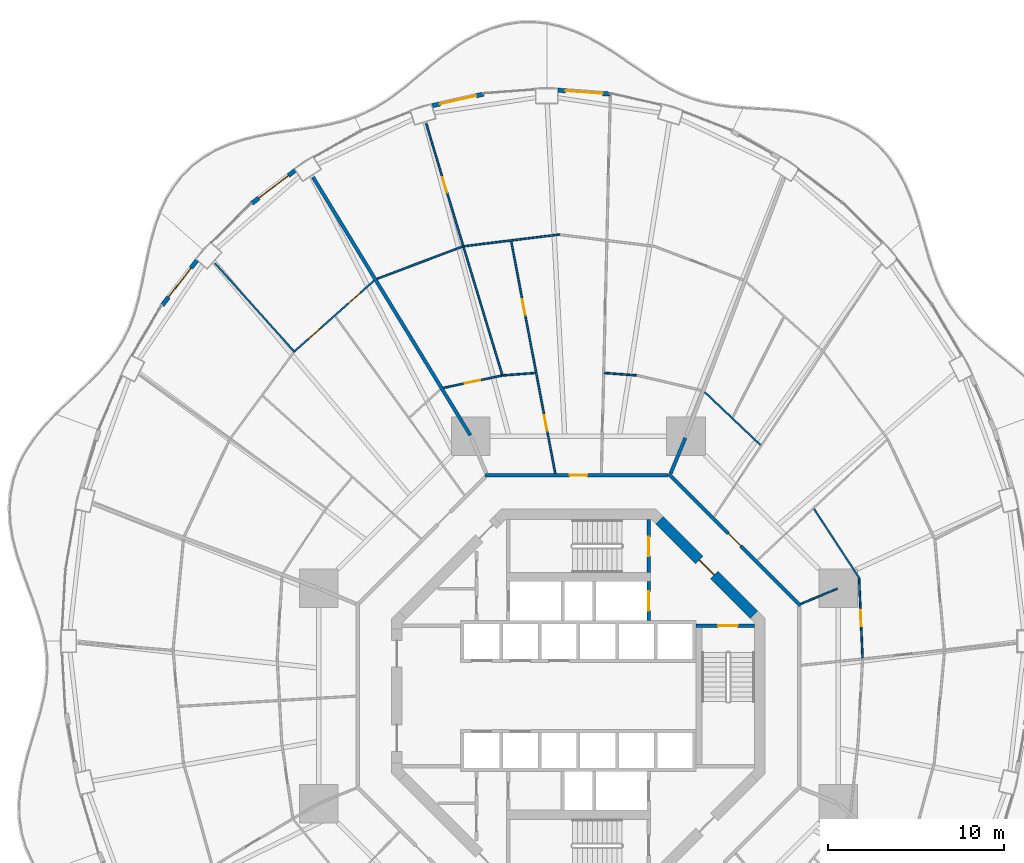
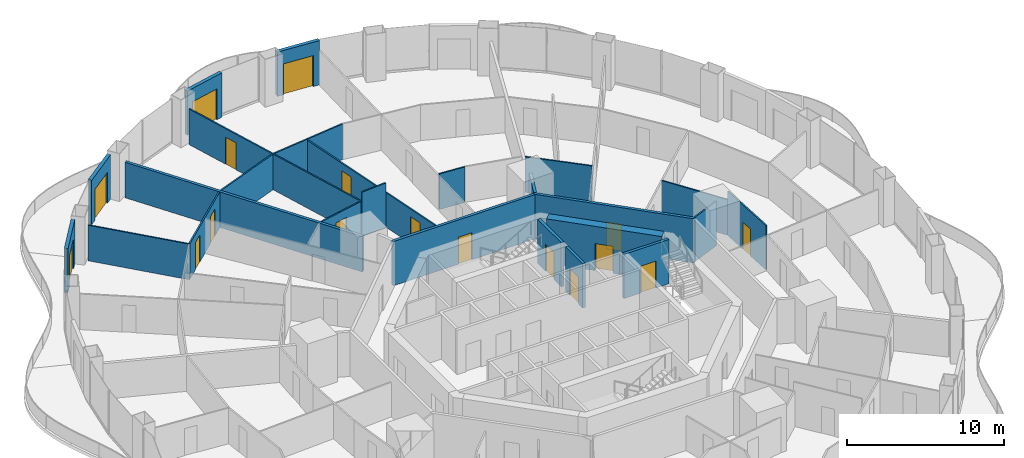
# One storey, part 19 of 24: 25 walls, 17 doors, 17 openings.
"""IFC4 building model written with IfcOpenShell, lengths in metres."""

from ifc_helpers import new_model, si_unit, direction, frame, frame_2d, origin, place, context, subcontext, project, spatial, rectangle, extrude, material, layer, layer_set, type_object, element, fill, save


model = new_model("IFC4")

# Units and contexts
model_context = context("Model", 3, precision=1e-05, world=origin(), true_north=direction((0.0, 1.0)))
body_context = subcontext(model_context, "Body", "Model", "MODEL_VIEW")
ifc_project = project(units=[si_unit("LENGTHUNIT", "METRE"), si_unit("AREAUNIT", "SQUARE_METRE"), si_unit("VOLUMEUNIT", "CUBIC_METRE"), si_unit("PLANEANGLEUNIT", "RADIAN"), si_unit("MASSUNIT", "GRAM", prefix="KILO")], contexts=[model_context])

# Site, building, storey
site_placement = place(None, origin())
site = spatial("IfcSite", under=ifc_project, at=site_placement, CompositionType="ELEMENT")
building_placement = place(site_placement, origin())
building = spatial("IfcBuilding", under=site, at=building_placement, Name="Nagisa Residences", CompositionType="ELEMENT")
storey_placement = place(building_placement, frame((0.0, 0.0, 102.89990234375)))
storey = spatial("IfcBuildingStorey", under=building, at=storey_placement, Name="L25", CompositionType="ELEMENT", Elevation=102.89990234375)

# Walls
ifc_material_1 = material(Name="Gypsum board on steel studs", Category="steel")
ifc_layer_1 = layer(ifc_material_1, 0.199951171875)
ifc_layer_set_1 = layer_set([ifc_layer_1], Name="Apartment compartment wall EI60 200")
wall_type_1 = type_object("IfcWallType", Name="Apartment compartment wall EI60 200", PredefinedType="PARTITIONING", material=ifc_layer_set_1)
wall_1_placement = place(storey_placement, frame((5.24267578125, 12.6572265625, 0.0), z_axis=(0.0, 0.0, 1.0), x_axis=(0.382724096228, 0.923862687939, 0.0)))
element("IfcWall", 1, at=wall_1_placement, inside=storey, type_object=wall_type_1, Name="wall:L25:u00", PredefinedType="PARTITIONING", context=body_context, shape_type="SweptSolid", body=[
    extrude(rectangle(XDim=2.20068359375, YDim=0.199951171875, at=frame_2d((1.100341796875, 0.0))), origin(), (0.0, 0.0, 1.0), 3.440185546875),
])
wall_2_placement = place(storey_placement, frame((-6.14892578125, 14.82470703125, 0.0), z_axis=(0.0, 0.0, 1.0), x_axis=(-0.520412862249, 0.853914780763, 0.0)))
element("IfcWall", 2, at=wall_2_placement, inside=storey, type_object=wall_type_1, Name="wall:L25:u03", PredefinedType="PARTITIONING", context=body_context, shape_type="SweptSolid", body=[
    extrude(rectangle(XDim=17.202392578125, YDim=0.199951171875, at=frame_2d((8.60107421875, 0.0))), origin(), (0.0, 0.0, 1.0), 2.76220703125),
])

# Wall, opening, door
ifc_material_2 = material(Name="Gypsum board on steel studs", Category="steel")
ifc_layer_2 = layer(ifc_material_2, 0.199951171875)
ifc_layer_set_2 = layer_set([ifc_layer_2], Name="Apartment entry wall EI60 200")
wall_type_2 = type_object("IfcWallType", Name="Apartment entry wall EI60 200", PredefinedType="PARTITIONING", material=ifc_layer_set_2)
wall_3_placement = place(storey_placement, frame((12.635498046875, 5.1337890625, 0.0), z_axis=(0.0, 0.0, 1.0), x_axis=(-0.707106781187, 0.707106781187, 0.0)))
wall_3 = element("IfcWall", 3, at=wall_3_placement, inside=storey, type_object=wall_type_2, Name="wall:L25:u11", PredefinedType="PARTITIONING", context=body_context, shape_type="SweptSolid", body=[
    extrude(rectangle(XDim=10.609130859375, YDim=0.199951171875, at=frame_2d((5.3046875, 0.0))), origin(), (0.0, 0.0, 1.0), 3.440185546875),
])
opening_1_placement = place(wall_3_placement, frame((4.804443359375, 0.0, 0.0)))
opening_1 = element("IfcOpeningElement", 4, at=opening_1_placement, cuts=wall_3, Name="Opening L25-U28", PredefinedType="OPENING", context=body_context, shape_type="SweptSolid", body=[
    extrude(rectangle(XDim=1.0, YDim=2.10009765625, at=frame_2d((0.5, 1.050048828125))), frame((0.0, 0.10986328125, 0.0), z_axis=(0.0, -1.0, 0.0), x_axis=(1.0, 0.0, 0.0)), (0.0, 0.0, 1.0), 0.219970703125),
])
ifc_material_3 = material(Name="Timber fire door set", Category="wood")
door_type_1 = type_object("IfcDoorType", Name="Apartment entry door FD30S 1000x2100", OperationType="NOTDEFINED", PredefinedType="DOOR", material=ifc_material_3)
door_1_placement = place(opening_1_placement, frame((1.0, 0.0, 0.0), x_axis=(-1.0, 0.0, 0.0)))
door_1 = element("IfcDoor", 5, at=door_1_placement, inside=storey, type_object=door_type_1, Name="Entry door, Apartment 25C", OperationType="SINGLE_SWING_LEFT", OverallHeight=2.10009765625, OverallWidth=1.0, PredefinedType="DOOR", context=body_context, shape_type="SweptSolid", body=[
    extrude(rectangle(XDim=1.0, YDim=2.10009765625, at=frame_2d((0.5, 1.050048828125))), frame((0.0, 0.02490234375, 0.0), z_axis=(0.0, -1.0, 0.0), x_axis=(1.0, 0.0, 0.0)), (0.0, 0.0, 1.0), 0.050048828125),
])
fill(opening_1, door_1)

wall_4_placement = place(storey_placement, frame((5.1044921875, 12.564697265625, 0.0), z_axis=(0.0, 0.0, 1.0), x_axis=(-1.0, 0.0, 0.0)))
wall_4 = element("IfcWall", 6, at=wall_4_placement, inside=storey, type_object=wall_type_2, Name="wall:L25:u12", PredefinedType="PARTITIONING", context=body_context, shape_type="SweptSolid", body=[
    extrude(rectangle(XDim=10.408935546875, YDim=0.199951171875, at=frame_2d((5.20458984375, 0.0))), origin(), (0.0, 0.0, 1.0), 3.440185546875),
])
opening_2_placement = place(wall_4_placement, frame((4.6044921875, 0.0, 0.0)))
opening_2 = element("IfcOpeningElement", 7, at=opening_2_placement, cuts=wall_4, Name="Opening L25-U41", PredefinedType="OPENING", context=body_context, shape_type="SweptSolid", body=[
    extrude(rectangle(XDim=1.0, YDim=2.10009765625, at=frame_2d((0.5, 1.050048828125))), frame((0.0, 0.10986328125, 0.0), z_axis=(0.0, -1.0, 0.0), x_axis=(1.0, 0.0, 0.0)), (0.0, 0.0, 1.0), 0.219970703125),
])
door_2_placement = place(opening_2_placement, frame((1.0, 0.0, 0.0), x_axis=(-1.0, 0.0, 0.0)))
door_2 = element("IfcDoor", 8, at=door_2_placement, inside=storey, type_object=door_type_1, Name="Entry door, Apartment 25D", OperationType="SINGLE_SWING_RIGHT", OverallHeight=2.10009765625, OverallWidth=1.0, PredefinedType="DOOR", context=body_context, shape_type="SweptSolid", body=[
    extrude(rectangle(XDim=1.0, YDim=2.10009765625, at=frame_2d((0.5, 1.050048828125))), frame((0.0, 0.02490234375, 0.0), z_axis=(0.0, -1.0, 0.0), x_axis=(1.0, 0.0, 0.0)), (0.0, 0.0, 1.0), 0.050048828125),
])
fill(opening_2, door_2)

ifc_material_4 = material(Name="Gypsum board on steel studs", Category="steel")
ifc_layer_3 = layer(ifc_material_4, 0.10009765625)
ifc_layer_set_3 = layer_set([ifc_layer_3], Name="Apartment partition 100")
wall_type_3 = type_object("IfcWallType", Name="Apartment partition 100", PredefinedType="PARTITIONING", material=ifc_layer_set_3)
wall_5_placement = place(storey_placement, frame((16.161865234375, 2.158203125, 0.0), z_axis=(0.0, 0.0, 1.0), x_axis=(-0.043120653248, 0.999069872063, 0.0)))
wall_5 = element("IfcWall", 9, at=wall_5_placement, inside=storey, type_object=wall_type_3, Name="wall:L25:u19", PredefinedType="PARTITIONING", context=body_context, shape_type="SweptSolid", body=[
    extrude(rectangle(XDim=4.51806640625, YDim=0.10009765625, at=frame_2d((2.259033203125, 0.0))), origin(), (0.0, 0.0, 1.0), 3.440185546875),
])
opening_3_placement = place(wall_5_placement, frame((1.80908203125, 0.0, 0.0)))
opening_3 = element("IfcOpeningElement", 10, at=opening_3_placement, cuts=wall_5, Name="Opening L25-U36", PredefinedType="OPENING", context=body_context, shape_type="SweptSolid", body=[
    extrude(rectangle(XDim=0.89990234375, YDim=2.10009765625, at=frame_2d((0.449951171875, 1.050048828125))), frame((0.0, 0.06005859375, 0.0), z_axis=(0.0, -1.0, 0.0), x_axis=(1.0, 0.0, 0.0)), (0.0, 0.0, 1.0), 0.1201171875),
])
ifc_material_5 = material(Name="Timber door set", Category="wood")
door_type_2 = type_object("IfcDoorType", Name="Apartment door 900x2100", OperationType="NOTDEFINED", PredefinedType="DOOR", material=ifc_material_5)
door_3_placement = place(opening_3_placement, origin())
door_3 = element("IfcDoor", 11, at=door_3_placement, inside=storey, type_object=door_type_2, Name="Door to store, Apartment 25C", OperationType="SINGLE_SWING_RIGHT", OverallHeight=2.10009765625, OverallWidth=0.89990234375, PredefinedType="DOOR", context=body_context, shape_type="SweptSolid", body=[
    extrude(rectangle(XDim=0.89990234375, YDim=2.10009765625, at=frame_2d((0.449951171875, 1.050048828125))), frame((0.0, 0.02490234375, 0.0), z_axis=(0.0, -1.0, 0.0), x_axis=(1.0, 0.0, 0.0)), (0.0, 0.0, 1.0), 0.050048828125),
])
fill(opening_3, door_3)

# Walls
wall_6_placement = place(storey_placement, frame((12.6572265625, 5.24267578125, 0.0), z_axis=(0.0, 0.0, 1.0), x_axis=(0.923864733477, 0.382719158442, 0.0)))
element("IfcWall", 12, at=wall_6_placement, inside=storey, type_object=wall_type_3, Name="wall:L25:u23", PredefinedType="PARTITIONING", context=body_context, shape_type="SweptSolid", body=[
    extrude(rectangle(XDim=2.25, YDim=0.10009765625, at=frame_2d((1.125, 0.0))), origin(), (0.0, 0.0, 1.0), 3.440185546875),
])
wall_7_placement = place(storey_placement, frame((15.9921875, 6.68017578125, 0.0), z_axis=(0.0, 0.0, 1.0), x_axis=(-0.547472878942, 0.836823426311, 0.0)))
element("IfcWall", 13, at=wall_7_placement, inside=storey, type_object=wall_type_3, Name="wall:L25:u24", PredefinedType="PARTITIONING", context=body_context, shape_type="SweptSolid", body=[
    extrude(rectangle(XDim=4.73779296875, YDim=0.10009765625, at=frame_2d((2.368896484375, 0.0))), origin(), (0.0, 0.0, 1.0), 2.76220703125),
])
wall_8_placement = place(storey_placement, frame((10.35546875, 14.274169921875, 0.0), z_axis=(0.0, 0.0, 1.0), x_axis=(-0.725206433622, 0.688531501555, 0.0)))
element("IfcWall", 14, at=wall_8_placement, inside=storey, type_object=wall_type_3, Name="wall:L25:u30", PredefinedType="PARTITIONING", context=body_context, shape_type="SweptSolid", body=[
    extrude(rectangle(XDim=4.386962890625, YDim=0.10009765625, at=frame_2d((2.193359375, 0.0))), origin(), (0.0, 0.0, 1.0), 2.76220703125),
])
wall_9_placement = place(storey_placement, frame((3.299072265625, 18.23681640625, 0.0), z_axis=(0.0, 0.0, 1.0), x_axis=(-0.997152920483, 0.075405922664, 0.0)))
element("IfcWall", 15, at=wall_9_placement, inside=storey, type_object=wall_type_3, Name="wall:L25:u35", PredefinedType="PARTITIONING", context=body_context, shape_type="SweptSolid", body=[
    extrude(rectangle(XDim=1.82275390625, YDim=0.10009765625, at=frame_2d((0.911376953125, 0.0))), origin(), (0.0, 0.0, 1.0), 2.76220703125),
])
wall_10_placement = place(storey_placement, frame((-1.06640625, 26.2529296875, 0.0), z_axis=(0.0, 0.0, 1.0), x_axis=(-0.992574853421, -0.121635358166, 0.0)))
element("IfcWall", 16, at=wall_10_placement, inside=storey, type_object=wall_type_3, Name="wall:L25:u38", PredefinedType="PARTITIONING", context=body_context, shape_type="SweptSolid", body=[
    extrude(rectangle(XDim=5.473388671875, YDim=0.10009765625, at=frame_2d((2.73681640625, 0.0))), origin(), (0.0, 0.0, 1.0), 2.76220703125),
])

# Wall, openings, doors
wall_11_placement = place(storey_placement, frame((-1.31982421875, 12.6630859375, 0.0), z_axis=(0.0, 0.0, 1.0), x_axis=(-0.186308855238, 0.982491226658, 0.0)))
wall_11 = element("IfcWall", 17, at=wall_11_placement, inside=storey, type_object=wall_type_3, Name="wall:L25:u39", PredefinedType="PARTITIONING", context=body_context, shape_type="SweptSolid", body=[
    extrude(rectangle(XDim=13.43701171875, YDim=0.10009765625, at=frame_2d((6.718505859375, 0.0))), origin(), (0.0, 0.0, 1.0), 2.68701171875),
])
opening_4_placement = place(wall_11_placement, frame((2.45849609375, 0.0, 0.0)))
opening_4 = element("IfcOpeningElement", 18, at=opening_4_placement, cuts=wall_11, Name="Opening L25-U43", PredefinedType="OPENING", context=body_context, shape_type="SweptSolid", body=[
    extrude(rectangle(XDim=0.89990234375, YDim=2.10009765625, at=frame_2d((0.449951171875, 1.050048828125))), frame((0.0, 0.06005859375, 0.0), z_axis=(0.0, -1.0, 0.0), x_axis=(1.0, 0.0, 0.0)), (0.0, 0.0, 1.0), 0.1201171875),
])
opening_5_placement = place(wall_11_placement, frame((9.177001953125, 0.0, 0.0)))
opening_5 = element("IfcOpeningElement", 19, at=opening_5_placement, cuts=wall_11, Name="Opening L25-U45", PredefinedType="OPENING", context=body_context, shape_type="SweptSolid", body=[
    extrude(rectangle(XDim=0.89990234375, YDim=2.10009765625, at=frame_2d((0.449951171875, 1.050048828125))), frame((0.0, 0.06005859375, 0.0), z_axis=(0.0, -1.0, 0.0), x_axis=(1.0, 0.0, 0.0)), (0.0, 0.0, 1.0), 0.1201171875),
])
door_4_placement = place(opening_4_placement, origin())
door_4 = element("IfcDoor", 20, at=door_4_placement, inside=storey, type_object=door_type_2, Name="Door to store, Apartment 25D", OperationType="SINGLE_SWING_LEFT", OverallHeight=2.10009765625, OverallWidth=0.89990234375, PredefinedType="DOOR", context=body_context, shape_type="SweptSolid", body=[
    extrude(rectangle(XDim=0.89990234375, YDim=2.10009765625, at=frame_2d((0.449951171875, 1.050048828125))), frame((0.0, 0.02490234375, 0.0), z_axis=(0.0, -1.0, 0.0), x_axis=(1.0, 0.0, 0.0)), (0.0, 0.0, 1.0), 0.050048828125),
])
fill(opening_4, door_4)
door_5_placement = place(opening_5_placement, origin())
door_5 = element("IfcDoor", 21, at=door_5_placement, inside=storey, type_object=door_type_2, Name="Door to family bathroom, Apartment 25D", OperationType="SINGLE_SWING_LEFT", OverallHeight=2.10009765625, OverallWidth=0.89990234375, PredefinedType="DOOR", context=body_context, shape_type="SweptSolid", body=[
    extrude(rectangle(XDim=0.89990234375, YDim=2.10009765625, at=frame_2d((0.449951171875, 1.050048828125))), frame((0.0, 0.02490234375, 0.0), z_axis=(0.0, -1.0, 0.0), x_axis=(1.0, 0.0, 0.0)), (0.0, 0.0, 1.0), 0.050048828125),
])
fill(opening_5, door_5)

# Wall
wall_12_placement = place(storey_placement, frame((-2.453369140625, 18.374267578125, 0.0), z_axis=(0.0, 0.0, 1.0), x_axis=(-0.997153681897, -0.075395853197, 0.0)))
element("IfcWall", 22, at=wall_12_placement, inside=storey, type_object=wall_type_3, Name="wall:L25:u40", PredefinedType="PARTITIONING", context=body_context, shape_type="SweptSolid", body=[
    extrude(rectangle(XDim=1.822998046875, YDim=0.10009765625, at=frame_2d((0.91162109375, 0.0))), origin(), (0.0, 0.0, 1.0), 3.440185546875),
])

# Wall, opening, door
wall_13_placement = place(storey_placement, frame((-4.306396484375, 18.185302734375, 0.0), z_axis=(0.0, 0.0, 1.0), x_axis=(-0.290183838394, 0.956970919064, 0.0)))
wall_13 = element("IfcWall", 23, at=wall_13_placement, inside=storey, type_object=wall_type_3, Name="wall:L25:u41", PredefinedType="PARTITIONING", context=body_context, shape_type="SweptSolid", body=[
    extrude(rectangle(XDim=15.01513671875, YDim=0.10009765625, at=frame_2d((7.507568359375, 0.0))), origin(), (0.0, 0.0, 1.0), 2.76220703125),
])
opening_6_placement = place(wall_13_placement, frame((10.921875, 0.0, 0.0)))
opening_6 = element("IfcOpeningElement", 24, at=opening_6_placement, cuts=wall_13, Name="Opening L25-U49", PredefinedType="OPENING", context=body_context, shape_type="SweptSolid", body=[
    extrude(rectangle(XDim=0.89990234375, YDim=2.10009765625, at=frame_2d((0.449951171875, 1.050048828125))), frame((0.0, 0.06005859375, 0.0), z_axis=(0.0, -1.0, 0.0), x_axis=(1.0, 0.0, 0.0)), (0.0, 0.0, 1.0), 0.1201171875),
])
door_6_placement = place(opening_6_placement, origin())
door_6 = element("IfcDoor", 25, at=door_6_placement, inside=storey, type_object=door_type_2, Name="Door to master bedroom, Apartment 25D", OperationType="SINGLE_SWING_LEFT", OverallHeight=2.10009765625, OverallWidth=0.89990234375, PredefinedType="DOOR", context=body_context, shape_type="SweptSolid", body=[
    extrude(rectangle(XDim=0.89990234375, YDim=2.10009765625, at=frame_2d((0.449951171875, 1.050048828125))), frame((0.0, 0.02490234375, 0.0), z_axis=(0.0, -1.0, 0.0), x_axis=(1.0, 0.0, 0.0)), (0.0, 0.0, 1.0), 0.050048828125),
])
fill(opening_6, door_6)

wall_14_placement = place(storey_placement, frame((-4.369873046875, 18.222900390625, 0.0), z_axis=(0.0, 0.0, 1.0), x_axis=(-0.978633053291, -0.205614559323, 0.0)))
wall_14 = element("IfcWall", 26, at=wall_14_placement, inside=storey, type_object=wall_type_3, Name="wall:L25:u42", PredefinedType="PARTITIONING", context=body_context, shape_type="SweptSolid", body=[
    extrude(rectangle(XDim=3.387451171875, YDim=0.10009765625, at=frame_2d((1.69384765625, 0.0))), origin(), (0.0, 0.0, 1.0), 2.76220703125),
])
opening_7_placement = place(wall_14_placement, frame((1.24365234375, 0.0, 0.0)))
opening_7 = element("IfcOpeningElement", 27, at=opening_7_placement, cuts=wall_14, Name="Opening L25-U46", PredefinedType="OPENING", context=body_context, shape_type="SweptSolid", body=[
    extrude(rectangle(XDim=0.89990234375, YDim=2.10009765625, at=frame_2d((0.449951171875, 1.050048828125))), frame((0.0, 0.06005859375, 0.0), z_axis=(0.0, -1.0, 0.0), x_axis=(1.0, 0.0, 0.0)), (0.0, 0.0, 1.0), 0.1201171875),
])
door_7_placement = place(opening_7_placement, frame((0.89990234375, 0.0, 0.0), x_axis=(-1.0, 0.0, 0.0)))
door_7 = element("IfcDoor", 28, at=door_7_placement, inside=storey, type_object=door_type_2, Name="Door to kitchen, Apartment 25D", OperationType="SINGLE_SWING_LEFT", OverallHeight=2.10009765625, OverallWidth=0.89990234375, PredefinedType="DOOR", context=body_context, shape_type="SweptSolid", body=[
    extrude(rectangle(XDim=0.89990234375, YDim=2.10009765625, at=frame_2d((0.449951171875, 1.050048828125))), frame((0.0, 0.02490234375, 0.0), z_axis=(0.0, -1.0, 0.0), x_axis=(1.0, 0.0, 0.0)), (0.0, 0.0, 1.0), 0.050048828125),
])
fill(opening_7, door_7)

# Wall
wall_15_placement = place(storey_placement, frame((-6.595703125, 25.5634765625, 0.0), z_axis=(0.0, 0.0, 1.0), x_axis=(-0.935624838262, -0.352995980185, 0.0)))
element("IfcWall", 29, at=wall_15_placement, inside=storey, type_object=wall_type_3, Name="wall:L25:u43", PredefinedType="PARTITIONING", context=body_context, shape_type="SweptSolid", body=[
    extrude(rectangle(XDim=5.198974609375, YDim=0.10009765625, at=frame_2d((2.599609375, 0.0))), origin(), (0.0, 0.0, 1.0), 2.76220703125),
])

# Wall, openings, doors
wall_16_placement = place(storey_placement, frame((-11.628173828125, 23.62646484375, 0.0), z_axis=(0.0, 0.0, 1.0), x_axis=(-0.747429444005, -0.664341197153, 0.0)))
wall_16 = element("IfcWall", 30, at=wall_16_placement, inside=storey, type_object=wall_type_3, Name="wall:L25:u45", PredefinedType="PARTITIONING", context=body_context, shape_type="SweptSolid", body=[
    extrude(rectangle(XDim=6.023681640625, YDim=0.10009765625, at=frame_2d((3.01171875, 0.0))), origin(), (0.0, 0.0, 1.0), 2.76220703125),
])
opening_8_placement = place(wall_16_placement, frame((4.054931640625, 0.0, 0.0)))
opening_8 = element("IfcOpeningElement", 31, at=opening_8_placement, cuts=wall_16, Name="Opening L25-U55", PredefinedType="OPENING", context=body_context, shape_type="SweptSolid", body=[
    extrude(rectangle(XDim=0.89990234375, YDim=2.10009765625, at=frame_2d((0.449951171875, 1.050048828125))), frame((0.0, 0.06005859375, 0.0), z_axis=(0.0, -1.0, 0.0), x_axis=(1.0, 0.0, 0.0)), (0.0, 0.0, 1.0), 0.1201171875),
])
opening_9_placement = place(wall_16_placement, frame((1.043212890625, 0.0, 0.0)))
opening_9 = element("IfcOpeningElement", 32, at=opening_9_placement, cuts=wall_16, Name="Opening L25-U58", PredefinedType="OPENING", context=body_context, shape_type="SweptSolid", body=[
    extrude(rectangle(XDim=0.89990234375, YDim=2.10009765625, at=frame_2d((0.449951171875, 1.050048828125))), frame((0.0, 0.06005859375, 0.0), z_axis=(0.0, -1.0, 0.0), x_axis=(1.0, 0.0, 0.0)), (0.0, 0.0, 1.0), 0.1201171875),
])
door_8_placement = place(opening_8_placement, frame((0.89990234375, 0.0, 0.0), x_axis=(-1.0, 0.0, 0.0)))
door_8 = element("IfcDoor", 33, at=door_8_placement, inside=storey, type_object=door_type_2, Name="Door to master bedroom, Apartment 25E", OperationType="SINGLE_SWING_RIGHT", OverallHeight=2.10009765625, OverallWidth=0.89990234375, PredefinedType="DOOR", context=body_context, shape_type="SweptSolid", body=[
    extrude(rectangle(XDim=0.89990234375, YDim=2.10009765625, at=frame_2d((0.449951171875, 1.050048828125))), frame((0.0, 0.02490234375, 0.0), z_axis=(0.0, -1.0, 0.0), x_axis=(1.0, 0.0, 0.0)), (0.0, 0.0, 1.0), 0.050048828125),
])
fill(opening_8, door_8)
door_9_placement = place(opening_9_placement, origin())
door_9 = element("IfcDoor", 34, at=door_9_placement, inside=storey, type_object=door_type_2, Name="Door to en-suite bathroom, Apartment 25E", OperationType="SINGLE_SWING_RIGHT", OverallHeight=2.10009765625, OverallWidth=0.89990234375, PredefinedType="DOOR", context=body_context, shape_type="SweptSolid", body=[
    extrude(rectangle(XDim=0.89990234375, YDim=2.10009765625, at=frame_2d((0.449951171875, 1.050048828125))), frame((0.0, 0.02490234375, 0.0), z_axis=(0.0, -1.0, 0.0), x_axis=(1.0, 0.0, 0.0)), (0.0, 0.0, 1.0), 0.050048828125),
])
fill(opening_9, door_9)

# Wall
wall_17_placement = place(storey_placement, frame((-16.13427734375, 19.554443359375, 0.0), z_axis=(0.0, 0.0, 1.0), x_axis=(-0.667985610263, 0.74417418961, 0.0)))
element("IfcWall", 35, at=wall_17_placement, inside=storey, type_object=wall_type_3, Name="wall:L25:u47", PredefinedType="PARTITIONING", context=body_context, shape_type="SweptSolid", body=[
    extrude(rectangle(XDim=6.809326171875, YDim=0.10009765625, at=frame_2d((3.40478515625, 0.0))), origin(), (0.0, 0.0, 1.0), 2.76220703125),
])

# Wall, opening, door
ifc_material_6 = material(Name="Precast concrete C40/50", Category="concrete")
ifc_layer_4 = layer(ifc_material_6, 0.25)
ifc_layer_set_4 = layer_set([ifc_layer_4], Name="BALCONY DOOR WALL 250")
wall_type_4 = type_object("IfcWallType", Name="BALCONY DOOR WALL 250", PredefinedType="SOLIDWALL", material=ifc_layer_set_4)
wall_18_placement = place(storey_placement, frame((-1.1611328125, 34.459716796875, 0.0), z_axis=(0.0, 0.0, 1.0), x_axis=(0.997232262224, -0.074349278273, 0.0)))
wall_18 = element("IfcWall", 36, at=wall_18_placement, inside=storey, type_object=wall_type_4, Name="wall:L25:bay11", PredefinedType="SOLIDWALL", context=body_context, shape_type="SweptSolid", body=[
    extrude(rectangle(XDim=2.97509765625, YDim=0.25, at=frame_2d((1.487548828125, 0.0))), origin(), (0.0, 0.0, 1.0), 3.440185546875),
])
opening_10_placement = place(wall_18_placement, frame((0.4375, 0.0, 0.0)))
opening_10 = element("IfcOpeningElement", 37, at=opening_10_placement, cuts=wall_18, Name="Opening BD-L25-04", PredefinedType="OPENING", context=body_context, shape_type="SweptSolid", body=[
    extrude(rectangle(XDim=2.10009765625, YDim=2.39990234375, at=frame_2d((1.050048828125, 1.199951171875))), frame((0.0, 0.135009765625, 0.0), z_axis=(0.0, -1.0, 0.0), x_axis=(1.0, 0.0, 0.0)), (0.0, 0.0, 1.0), 0.27001953125),
])
ifc_material_7 = material(Name="Aluminium and clear glass", Category="aluminium")
door_type_3 = type_object("IfcDoorType", Name="BALCONY SLIDING DOOR 2100x2400", OperationType="SLIDING_TO_LEFT", PredefinedType="DOOR", material=ifc_material_7)
door_10_placement = place(opening_10_placement, origin())
door_10 = element("IfcDoor", 38, at=door_10_placement, inside=storey, type_object=door_type_3, Name="door:L25:bay11", OperationType="SLIDING_TO_LEFT", OverallHeight=2.39990234375, OverallWidth=2.10009765625, PredefinedType="DOOR", context=body_context, shape_type="SweptSolid", body=[
    extrude(rectangle(XDim=2.10009765625, YDim=2.39990234375, at=frame_2d((1.050048828125, 1.199951171875))), frame((0.0, 0.02490234375, 0.0), z_axis=(0.0, -1.0, 0.0), x_axis=(1.0, 0.0, 0.0)), (0.0, 0.0, 1.0), 0.050048828125),
])
fill(opening_10, door_10)

wall_19_placement = place(storey_placement, frame((-8.306396484375, 33.580322265625, 0.0), z_axis=(0.0, 0.0, 1.0), x_axis=(0.975317607872, 0.220806620767, 0.0)))
wall_19 = element("IfcWall", 39, at=wall_19_placement, inside=storey, type_object=wall_type_4, Name="wall:L25:bay13", PredefinedType="SOLIDWALL", context=body_context, shape_type="SweptSolid", body=[
    extrude(rectangle(XDim=2.9931640625, YDim=0.25, at=frame_2d((1.49658203125, 0.0))), origin(), (0.0, 0.0, 1.0), 3.440185546875),
])
opening_11_placement = place(wall_19_placement, frame((0.446533203125, 0.0, 0.0)))
opening_11 = element("IfcOpeningElement", 40, at=opening_11_placement, cuts=wall_19, Name="Opening BD-L25-05", PredefinedType="OPENING", context=body_context, shape_type="SweptSolid", body=[
    extrude(rectangle(XDim=2.10009765625, YDim=2.39990234375, at=frame_2d((1.050048828125, 1.199951171875))), frame((0.0, 0.135009765625, 0.0), z_axis=(0.0, -1.0, 0.0), x_axis=(1.0, 0.0, 0.0)), (0.0, 0.0, 1.0), 0.27001953125),
])
door_11_placement = place(opening_11_placement, origin())
door_11 = element("IfcDoor", 41, at=door_11_placement, inside=storey, type_object=door_type_3, Name="door:L25:bay13", OperationType="SLIDING_TO_LEFT", OverallHeight=2.39990234375, OverallWidth=2.10009765625, PredefinedType="DOOR", context=body_context, shape_type="SweptSolid", body=[
    extrude(rectangle(XDim=2.10009765625, YDim=2.39990234375, at=frame_2d((1.050048828125, 1.199951171875))), frame((0.0, 0.02490234375, 0.0), z_axis=(0.0, -1.0, 0.0), x_axis=(1.0, 0.0, 0.0)), (0.0, 0.0, 1.0), 0.050048828125),
])
fill(opening_11, door_11)

wall_20_placement = place(storey_placement, frame((-18.583984375, 28.020751953125, 0.0), z_axis=(0.0, 0.0, 1.0), x_axis=(0.796037575978, 0.605247203736, 0.0)))
wall_20 = element("IfcWall", 42, at=wall_20_placement, inside=storey, type_object=wall_type_4, Name="wall:L25:bay16", PredefinedType="SOLIDWALL", context=body_context, shape_type="SweptSolid", body=[
    extrude(rectangle(XDim=3.1337890625, YDim=0.25, at=frame_2d((1.56689453125, 0.0))), origin(), (0.0, 0.0, 1.0), 3.440185546875),
])
opening_12_placement = place(wall_20_placement, frame((0.51708984375, 0.0, 0.0)))
opening_12 = element("IfcOpeningElement", 43, at=opening_12_placement, cuts=wall_20, Name="Opening BD-L25-06", PredefinedType="OPENING", context=body_context, shape_type="SweptSolid", body=[
    extrude(rectangle(XDim=2.10009765625, YDim=2.39990234375, at=frame_2d((1.050048828125, 1.199951171875))), frame((0.0, 0.135009765625, 0.0), z_axis=(0.0, -1.0, 0.0), x_axis=(1.0, 0.0, 0.0)), (0.0, 0.0, 1.0), 0.27001953125),
])
door_12_placement = place(opening_12_placement, origin())
door_12 = element("IfcDoor", 44, at=door_12_placement, inside=storey, type_object=door_type_3, Name="door:L25:bay16", OperationType="SLIDING_TO_LEFT", OverallHeight=2.39990234375, OverallWidth=2.10009765625, PredefinedType="DOOR", context=body_context, shape_type="SweptSolid", body=[
    extrude(rectangle(XDim=2.10009765625, YDim=2.39990234375, at=frame_2d((1.050048828125, 1.199951171875))), frame((0.0, 0.02490234375, 0.0), z_axis=(0.0, -1.0, 0.0), x_axis=(1.0, 0.0, 0.0)), (0.0, 0.0, 1.0), 0.050048828125),
])
fill(opening_12, door_12)

wall_21_placement = place(storey_placement, frame((-23.6728515625, 22.2265625, 0.0), z_axis=(0.0, 0.0, 1.0), x_axis=(0.61041202934, 0.792084057684, 0.0)))
wall_21 = element("IfcWall", 45, at=wall_21_placement, inside=storey, type_object=wall_type_4, Name="wall:L25:bay18", PredefinedType="SOLIDWALL", context=body_context, shape_type="SweptSolid", body=[
    extrude(rectangle(XDim=3.262939453125, YDim=0.25, at=frame_2d((1.63134765625, 0.0))), origin(), (0.0, 0.0, 1.0), 3.440185546875),
])
opening_13_placement = place(wall_21_placement, frame((0.58154296875, 0.0, 0.0)))
opening_13 = element("IfcOpeningElement", 46, at=opening_13_placement, cuts=wall_21, Name="Opening BD-L25-07", PredefinedType="OPENING", context=body_context, shape_type="SweptSolid", body=[
    extrude(rectangle(XDim=2.10009765625, YDim=2.39990234375, at=frame_2d((1.050048828125, 1.199951171875))), frame((0.0, 0.135009765625, 0.0), z_axis=(0.0, -1.0, 0.0), x_axis=(1.0, 0.0, 0.0)), (0.0, 0.0, 1.0), 0.27001953125),
])
door_13_placement = place(opening_13_placement, origin())
door_13 = element("IfcDoor", 47, at=door_13_placement, inside=storey, type_object=door_type_3, Name="door:L25:bay18", OperationType="SLIDING_TO_LEFT", OverallHeight=2.39990234375, OverallWidth=2.10009765625, PredefinedType="DOOR", context=body_context, shape_type="SweptSolid", body=[
    extrude(rectangle(XDim=2.10009765625, YDim=2.39990234375, at=frame_2d((1.050048828125, 1.199951171875))), frame((0.0, 0.02490234375, 0.0), z_axis=(0.0, -1.0, 0.0), x_axis=(1.0, 0.0, 0.0)), (0.0, 0.0, 1.0), 0.050048828125),
])
fill(opening_13, door_13)

ifc_material_8 = material(Name="Concrete C60", Category="concrete")
ifc_layer_5 = layer(ifc_material_8, 0.60009765625)
ifc_layer_set_5 = layer_set([ifc_layer_5], Name="Core shear wall 600")
wall_type_5 = type_object("IfcWallType", Name="Core shear wall 600", PredefinedType="SHEAR", material=ifc_layer_set_5)
wall_22_placement = place(storey_placement, frame((9.98828125, 4.613037109375, 0.0), z_axis=(0.0, 0.0, 1.0), x_axis=(-0.707106781187, 0.707106781187, 0.0)))
wall_22 = element("IfcWall", 48, at=wall_22_placement, inside=storey, type_object=wall_type_5, Name="wall:L25:core:flat1", PredefinedType="SHEAR", context=body_context, shape_type="SweptSolid", body=[
    extrude(rectangle(XDim=7.601806640625, YDim=0.60009765625, at=frame_2d((3.80078125, 0.0))), origin(), (0.0, 0.0, 1.0), 3.440185546875),
])
opening_14_placement = place(wall_22_placement, frame((3.200927734375, 0.0, 0.0)))
opening_14 = element("IfcOpeningElement", 49, at=opening_14_placement, cuts=wall_22, Name="Opening L25-C17", PredefinedType="OPENING", context=body_context, shape_type="SweptSolid", body=[
    extrude(rectangle(XDim=1.199951171875, YDim=2.10009765625, at=frame_2d((0.60009765625, 1.050048828125))), frame((0.0, 0.31005859375, 0.0), z_axis=(0.0, -1.0, 0.0), x_axis=(1.0, 0.0, 0.0)), (0.0, 0.0, 1.0), 0.6201171875),
])
ifc_material_9 = material(Name="Steel fire door", Category="steel")
door_type_4 = type_object("IfcDoorType", Name="Fire door EI60 1200x2100 single swing", OperationType="NOTDEFINED", PredefinedType="DOOR", material=ifc_material_9)
door_14_placement = place(opening_14_placement, origin())
door_14 = element("IfcDoor", 50, at=door_14_placement, inside=storey, type_object=door_type_4, Name="Firefighting lobby 1 door L25", OperationType="SINGLE_SWING_LEFT", OverallHeight=2.10009765625, OverallWidth=1.199951171875, PredefinedType="DOOR", context=body_context, shape_type="SweptSolid", body=[
    extrude(rectangle(XDim=1.199951171875, YDim=2.10009765625, at=frame_2d((0.60009765625, 1.050048828125))), frame((0.0, 0.02490234375, 0.0), z_axis=(0.0, -1.0, 0.0), x_axis=(1.0, 0.0, 0.0)), (0.0, 0.0, 1.0), 0.050048828125),
])
fill(opening_14, door_14)

ifc_material_10 = material(Name="Concrete C60", Category="concrete")
ifc_layer_6 = layer(ifc_material_10, 0.199951171875)
ifc_layer_set_6 = layer_set([ifc_layer_6], Name="Lift shaft wall 200")
wall_type_6 = type_object("IfcWallType", Name="Lift shaft wall 200", PredefinedType="SOLIDWALL", material=ifc_layer_set_6)
wall_23_placement = place(storey_placement, frame((4.0, 4.300048828125, 0.0), z_axis=(0.0, 0.0, 1.0), x_axis=(0.0, 1.0, 0.0)))
wall_23 = element("IfcWall", 51, at=wall_23_placement, inside=storey, type_object=wall_type_6, Name="wall:L25:Nb3", PredefinedType="SOLIDWALL", context=body_context, shape_type="SweptSolid", body=[
    extrude(rectangle(XDim=2.199951171875, YDim=0.199951171875, at=frame_2d((1.10009765625, 0.0))), origin(), (0.0, 0.0, 1.0), 3.440185546875),
])
opening_15_placement = place(wall_23_placement, frame((0.550048828125, 0.0, 0.0)))
opening_15 = element("IfcOpeningElement", 52, at=opening_15_placement, cuts=wall_23, Name="Opening L25-C06", PredefinedType="OPENING", context=body_context, shape_type="SweptSolid", body=[
    extrude(rectangle(XDim=1.10009765625, YDim=2.10009765625, at=frame_2d((0.550048828125, 1.050048828125))), frame((0.0, 0.10986328125, 0.0), z_axis=(0.0, -1.0, 0.0), x_axis=(1.0, 0.0, 0.0)), (0.0, 0.0, 1.0), 0.219970703125),
])
ifc_material_11 = material(Name="Stainless steel", Category="steel")
door_type_5 = type_object("IfcDoorType", Name="Lift landing door 1100x2100", OperationType="DOUBLE_DOOR_SLIDING", PredefinedType="DOOR", material=ifc_material_11)
door_15_placement = place(opening_15_placement, origin())
door_15 = element("IfcDoor", 53, at=door_15_placement, inside=storey, type_object=door_type_5, Name="Landing door FL1 L25", OperationType="DOUBLE_DOOR_SLIDING", OverallHeight=2.10009765625, OverallWidth=1.10009765625, PredefinedType="DOOR", context=body_context, shape_type="SweptSolid", body=[
    extrude(rectangle(XDim=1.10009765625, YDim=2.10009765625, at=frame_2d((0.550048828125, 1.050048828125))), frame((0.0, 0.02490234375, 0.0), z_axis=(0.0, -1.0, 0.0), x_axis=(1.0, 0.0, 0.0)), (0.0, 0.0, 1.0), 0.050048828125),
])
fill(opening_15, door_15)

ifc_material_12 = material(Name="Concrete C60", Category="concrete")
ifc_layer_7 = layer(ifc_material_12, 0.199951171875)
ifc_layer_set_7 = layer_set([ifc_layer_7], Name="Stair enclosure wall 200")
wall_type_7 = type_object("IfcWallType", Name="Stair enclosure wall 200", PredefinedType="SOLIDWALL", material=ifc_layer_set_7)
wall_24_placement = place(storey_placement, frame((6.699951171875, 4.0, 0.0), z_axis=(0.0, 0.0, 1.0), x_axis=(1.0, 0.0, 0.0)))
wall_24 = element("IfcWall", 54, at=wall_24_placement, inside=storey, type_object=wall_type_7, Name="wall:L25:SE_n", PredefinedType="SOLIDWALL", context=body_context, shape_type="SweptSolid", body=[
    extrude(rectangle(XDim=3.32470703125, YDim=0.199951171875, at=frame_2d((1.662353515625, 0.0))), origin(), (0.0, 0.0, 1.0), 3.440185546875),
])
opening_16_placement = place(wall_24_placement, frame((1.25, 0.0, 0.0)))
opening_16 = element("IfcOpeningElement", 55, at=opening_16_placement, cuts=wall_24, Name="Opening L25-C09", PredefinedType="OPENING", context=body_context, shape_type="SweptSolid", body=[
    extrude(rectangle(XDim=1.10009765625, YDim=2.10009765625, at=frame_2d((0.550048828125, 1.050048828125))), frame((0.0, 0.10986328125, 0.0), z_axis=(0.0, -1.0, 0.0), x_axis=(1.0, 0.0, 0.0)), (0.0, 0.0, 1.0), 0.219970703125),
])
ifc_material_13 = material(Name="Steel fire door", Category="steel")
door_type_6 = type_object("IfcDoorType", Name="Fire door EI90 1100x2100 single swing", OperationType="NOTDEFINED", PredefinedType="DOOR", material=ifc_material_13)
door_16_placement = place(opening_16_placement, frame((1.10009765625, 0.0, 0.0), x_axis=(-1.0, 0.0, 0.0)))
door_16 = element("IfcDoor", 56, at=door_16_placement, inside=storey, type_object=door_type_6, Name="Stair door ST-E L25", OperationType="SINGLE_SWING_RIGHT", OverallHeight=2.10009765625, OverallWidth=1.10009765625, PredefinedType="DOOR", context=body_context, shape_type="SweptSolid", body=[
    extrude(rectangle(XDim=1.10009765625, YDim=2.10009765625, at=frame_2d((0.550048828125, 1.050048828125))), frame((0.0, 0.02490234375, 0.0), z_axis=(0.0, -1.0, 0.0), x_axis=(1.0, 0.0, 0.0)), (0.0, 0.0, 1.0), 0.050048828125),
])
fill(opening_16, door_16)

wall_25_placement = place(storey_placement, frame((4.0, 7.024658203125, 0.0), z_axis=(0.0, 0.0, 1.0), x_axis=(0.0, 1.0, 0.0)))
wall_25 = element("IfcWall", 57, at=wall_25_placement, inside=storey, type_object=wall_type_7, Name="wall:L25:SN_e", PredefinedType="SOLIDWALL", context=body_context, shape_type="SweptSolid", body=[
    extrude(rectangle(XDim=3.0, YDim=0.199951171875, at=frame_2d((1.5, 0.0))), origin(), (0.0, 0.0, 1.0), 3.440185546875),
])
opening_17_placement = place(wall_25_placement, frame((0.92529296875, 0.0, 0.0)))
opening_17 = element("IfcOpeningElement", 58, at=opening_17_placement, cuts=wall_25, Name="Opening L25-C10", PredefinedType="OPENING", context=body_context, shape_type="SweptSolid", body=[
    extrude(rectangle(XDim=1.10009765625, YDim=2.10009765625, at=frame_2d((0.550048828125, 1.050048828125))), frame((0.0, 0.10986328125, 0.0), z_axis=(0.0, -1.0, 0.0), x_axis=(1.0, 0.0, 0.0)), (0.0, 0.0, 1.0), 0.219970703125),
])
door_17_placement = place(opening_17_placement, origin())
door_17 = element("IfcDoor", 59, at=door_17_placement, inside=storey, type_object=door_type_6, Name="Stair door ST-N L25", OperationType="SINGLE_SWING_LEFT", OverallHeight=2.10009765625, OverallWidth=1.10009765625, PredefinedType="DOOR", context=body_context, shape_type="SweptSolid", body=[
    extrude(rectangle(XDim=1.10009765625, YDim=2.10009765625, at=frame_2d((0.550048828125, 1.050048828125))), frame((0.0, 0.02490234375, 0.0), z_axis=(0.0, -1.0, 0.0), x_axis=(1.0, 0.0, 0.0)), (0.0, 0.0, 1.0), 0.050048828125),
])
fill(opening_17, door_17)

save(model, "model.ifc")
